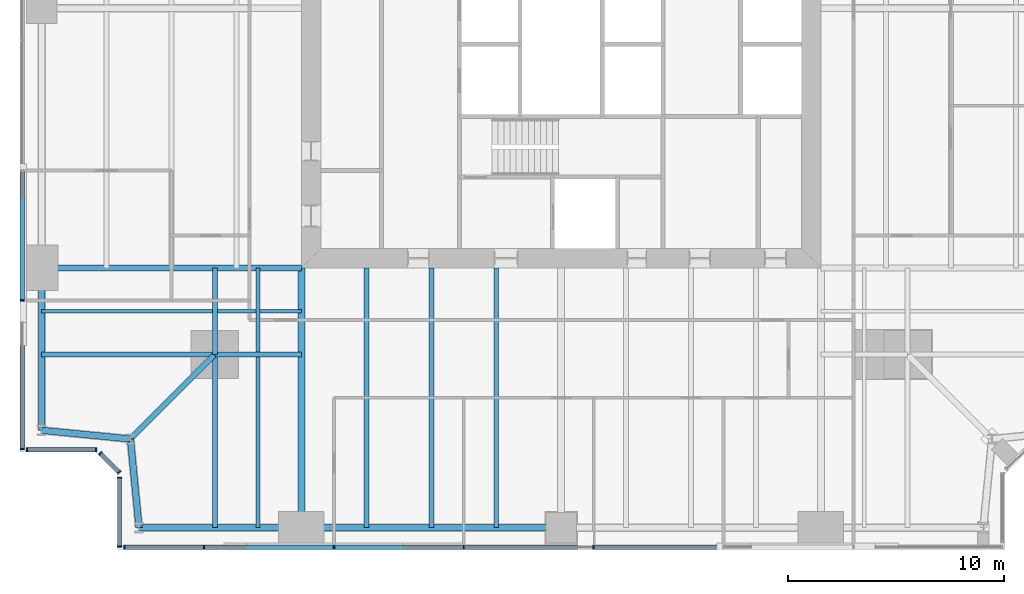
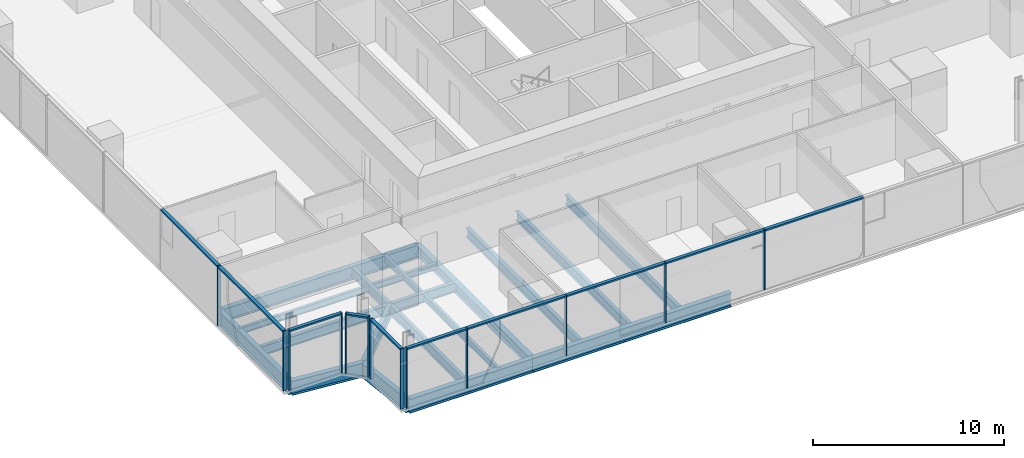
# One storey, part 2 of 13: 23 members, 20 beams, 5 elements without a shape of their own.
"""IFC4 building model written with IfcOpenShell, lengths in metres."""

from ifc_helpers import new_model, si_unit, direction, frame, origin, origin_2d, place, context, subcontext, project, spatial, rectangle, i_section, extrude, material, material_profile, profile_set, type_object, element, aggregate, save


model = new_model("IFC4")

# Units and contexts
model_context = context("Model", 3, precision=1e-05, world=origin(), true_north=direction((0.0, 1.0)))
body_context = subcontext(model_context, "Body", "Model", "MODEL_VIEW")
ifc_project = project(units=[si_unit("LENGTHUNIT", "METRE"), si_unit("AREAUNIT", "SQUARE_METRE"), si_unit("VOLUMEUNIT", "CUBIC_METRE"), si_unit("PLANEANGLEUNIT", "RADIAN"), si_unit("MASSUNIT", "GRAM", prefix="KILO")], contexts=[model_context])

# Site, building, storey
site_placement = place(None, origin())
site = spatial("IfcSite", under=ifc_project, at=site_placement, CompositionType="ELEMENT")
building_placement = place(site_placement, origin())
building = spatial("IfcBuilding", under=site, at=building_placement, Name="Fenwick Lantern Interchange", CompositionType="ELEMENT")
storey_placement = place(building_placement, frame((0.0, 0.0, 126.39990234375)))
storey = spatial("IfcBuildingStorey", under=building, at=storey_placement, Name="L29", CompositionType="ELEMENT", Elevation=126.39990234375)

# Beams
ifc_material_1 = material(Name="Steel ASTM A992 Grade 50", Category="steel")
ifc_material_profile_1 = material_profile(ifc_material_1, i_section(OverallWidth=0.3046875, OverallDepth=0.911865234375, WebThickness=0.015869140625, FlangeThickness=0.02392578125, at=origin_2d()), Name="W36X150")
ifc_profile_set_1 = profile_set([ifc_material_profile_1], Name="Steel ASTM A992 Grade 50")
beam_type_1 = type_object("IfcBeamType", Name="EDGE BEAM W36X150", PredefinedType="SPANDREL", material=ifc_profile_set_1)
beam_1_placement = place(storey_placement, frame((5.5, 1.0, -0.605712890625), z_axis=(1.0, 0.0, 0.0), x_axis=(0.0, 1.0, 0.0)))
element("IfcBeam", 1, at=beam_1_placement, inside=storey, type_object=beam_type_1, Name="L29/FR/S/EB1", PredefinedType="SPANDREL", context=body_context, shape_type="SweptSolid", body=[
    extrude(i_section(OverallWidth=0.3046875, OverallDepth=0.911865234375, WebThickness=0.015869140625, FlangeThickness=0.02392578125, at=origin_2d()), origin(), (0.0, 0.0, 1.0), 7.5),
])
beam_2_placement = place(storey_placement, frame((13.0, 1.0, -0.605712890625), z_axis=(1.0, 0.0, 0.0), x_axis=(0.0, 1.0, 0.0)))
element("IfcBeam", 2, at=beam_2_placement, inside=storey, type_object=beam_type_1, Name="L29/FR/S/EB2", PredefinedType="SPANDREL", context=body_context, shape_type="SweptSolid", body=[
    extrude(i_section(OverallWidth=0.3046875, OverallDepth=0.911865234375, WebThickness=0.015869140625, FlangeThickness=0.02392578125, at=origin_2d()), origin(), (0.0, 0.0, 1.0), 12.0),
])
beam_3_placement = place(storey_placement, frame((1.0, 13.0, -0.605712890625), z_axis=(0.0, -1.0, 0.0), x_axis=(1.0, 0.0, 0.0)))
element("IfcBeam", 3, at=beam_3_placement, inside=storey, type_object=beam_type_1, Name="L29/FR/W/EB4", PredefinedType="SPANDREL", context=body_context, shape_type="SweptSolid", body=[
    extrude(i_section(OverallWidth=0.3046875, OverallDepth=0.911865234375, WebThickness=0.015869140625, FlangeThickness=0.02392578125, at=origin_2d()), origin(), (0.0, 0.0, 1.0), 7.5),
])
for number, where, z_axis, x_axis, name in (
    (4, (1.0, 5.5, -0.605712890625), (0.995277148028, -0.097074191287, 0.0), (0.097074191287, 0.995277148028, 0.0), "L29/FR/W/EBR1"),
    (5, (5.10009765625, 5.10009765625, -0.605712890625), (0.097074191287, -0.995277148028, 0.0), (0.995277148028, 0.097074191287, 0.0), "L29/FR/W/EBR2"),
):
    element("IfcBeam", number, at=place(storey_placement, frame(where, z_axis=z_axis, x_axis=x_axis)), inside=storey, type_object=beam_type_1, Name=name, PredefinedType="SPANDREL", context=body_context, shape_type="SweptSolid", body=[
        extrude(i_section(OverallWidth=0.3046875, OverallDepth=0.911865234375, WebThickness=0.015869140625, FlangeThickness=0.02392578125, at=origin_2d()), origin(), (0.0, 0.0, 1.0), 4.11962890625),
    ])
ifc_material_profile_2 = material_profile(ifc_material_1, i_section(OverallWidth=0.22900390625, OverallDepth=0.612060546875, WebThickness=0.011962890625, FlangeThickness=0.01953125, at=origin_2d()), Name="W24X84")
ifc_profile_set_2 = profile_set([ifc_material_profile_2], Name="Steel ASTM A992 Grade 50")
beam_type_2 = type_object("IfcBeamType", Name="FLOOR BEAM W24X84", PredefinedType="BEAM", material=ifc_profile_set_2)
for number, where, z_axis, x_axis, name in (
    (6, (16.0, 1.0, -0.4560546875), (0.0, 1.0, 0.0), (-1.0, 0.0, 0.0), "L29/FR/S/R02"),
    (7, (19.0, 1.0, -0.4560546875), (0.0, 1.0, 0.0), (-1.0, 0.0, 0.0), "L29/FR/S/R03"),
    (8, (22.0, 1.0, -0.4560546875), (0.0, 1.0, 0.0), (-1.0, 0.0, 0.0), "L29/FR/S/R04"),
):
    element("IfcBeam", number, at=place(storey_placement, frame(where, z_axis=z_axis, x_axis=x_axis)), inside=storey, type_object=beam_type_2, Name=name, PredefinedType="BEAM", context=body_context, shape_type="SweptSolid", body=[
        extrude(i_section(OverallWidth=0.22900390625, OverallDepth=0.612060546875, WebThickness=0.011962890625, FlangeThickness=0.01953125, at=origin_2d()), origin(), (0.0, 0.0, 1.0), 12.0),
    ])
ifc_material_profile_3 = material_profile(ifc_material_1, i_section(OverallWidth=0.177734375, OverallDepth=0.406494140625, WebThickness=0.0078125, FlangeThickness=0.012939453125, at=origin_2d()), Name="W16X40")
ifc_profile_set_3 = profile_set([ifc_material_profile_3], Name="Steel ASTM A992 Grade 50")
beam_type_3 = type_object("IfcBeamType", Name="INFILL BEAM W16X40", PredefinedType="JOIST", material=ifc_profile_set_3)
beam_4_placement = place(storey_placement, frame((11.0, 1.0, -0.35302734375), z_axis=(0.0, 1.0, 0.0), x_axis=(-1.0, 0.0, 0.0)))
element("IfcBeam", 9, at=beam_4_placement, inside=storey, type_object=beam_type_3, Name="L29/FR/S/J1", PredefinedType="JOIST", context=body_context, shape_type="SweptSolid", body=[
    extrude(i_section(OverallWidth=0.177734375, OverallDepth=0.406494140625, WebThickness=0.0078125, FlangeThickness=0.012939453125, at=origin_2d()), origin(), (0.0, 0.0, 1.0), 7.885498046875),
])
beam_5_placement = place(storey_placement, frame((11.0, 9.114501953125, -0.35302734375), z_axis=(0.0, 1.0, 0.0), x_axis=(-1.0, 0.0, 0.0)))
element("IfcBeam", 10, at=beam_5_placement, inside=storey, type_object=beam_type_3, Name="L29/FR/S/J2", PredefinedType="JOIST", context=body_context, shape_type="SweptSolid", body=[
    extrude(i_section(OverallWidth=0.177734375, OverallDepth=0.406494140625, WebThickness=0.0078125, FlangeThickness=0.012939453125, at=origin_2d()), origin(), (0.0, 0.0, 1.0), 3.885498046875),
])
beam_6_placement = place(storey_placement, frame((1.0, 11.0, -0.35302734375), z_axis=(1.0, 0.0, 0.0), x_axis=(0.0, 1.0, 0.0)))
element("IfcBeam", 11, at=beam_6_placement, inside=storey, type_object=beam_type_3, Name="L29/FR/S/J3", PredefinedType="JOIST", context=body_context, shape_type="SweptSolid", body=[
    extrude(i_section(OverallWidth=0.177734375, OverallDepth=0.406494140625, WebThickness=0.0078125, FlangeThickness=0.012939453125, at=origin_2d()), origin(), (0.0, 0.0, 1.0), 7.885498046875),
])
beam_7_placement = place(storey_placement, frame((9.114501953125, 11.0, -0.35302734375), z_axis=(1.0, 0.0, 0.0), x_axis=(0.0, 1.0, 0.0)))
element("IfcBeam", 12, at=beam_7_placement, inside=storey, type_object=beam_type_3, Name="L29/FR/S/J4", PredefinedType="JOIST", context=body_context, shape_type="SweptSolid", body=[
    extrude(i_section(OverallWidth=0.177734375, OverallDepth=0.406494140625, WebThickness=0.0078125, FlangeThickness=0.012939453125, at=origin_2d()), origin(), (0.0, 0.0, 1.0), 1.796630859375),
])
beam_8_placement = place(storey_placement, frame((11.0888671875, 11.0, -0.35302734375), z_axis=(1.0, 0.0, 0.0), x_axis=(0.0, 1.0, 0.0)))
element("IfcBeam", 13, at=beam_8_placement, inside=storey, type_object=beam_type_3, Name="L29/FR/S/J5", PredefinedType="JOIST", context=body_context, shape_type="SweptSolid", body=[
    extrude(i_section(OverallWidth=0.177734375, OverallDepth=0.406494140625, WebThickness=0.0078125, FlangeThickness=0.012939453125, at=origin_2d()), origin(), (0.0, 0.0, 1.0), 1.9111328125),
])
ifc_material_profile_4 = material_profile(ifc_material_1, i_section(OverallWidth=0.22900390625, OverallDepth=0.612060546875, WebThickness=0.011962890625, FlangeThickness=0.01953125, at=origin_2d()), Name="W24X84")
ifc_profile_set_4 = profile_set([ifc_material_profile_4], Name="Steel ASTM A992 Grade 50")
beam_type_4 = type_object("IfcBeamType", Name="MEGA COLUMN BEAM W24X84", PredefinedType="BEAM", material=ifc_profile_set_4)
for number, where, z_axis, x_axis, name in (
    (14, (9.0, 9.0, -0.4560546875), (0.0, -1.0, 0.0), (1.0, 0.0, 0.0), "L29/FR/S/MB1"),
    (15, (9.0, 9.0, -0.4560546875), (-1.0, 0.0, 0.0), (0.0, -1.0, 0.0), "L29/FR/S/MB2"),
):
    element("IfcBeam", number, at=place(storey_placement, frame(where, z_axis=z_axis, x_axis=x_axis)), inside=storey, type_object=beam_type_4, Name=name, PredefinedType="BEAM", context=body_context, shape_type="SweptSolid", body=[
        extrude(i_section(OverallWidth=0.22900390625, OverallDepth=0.612060546875, WebThickness=0.011962890625, FlangeThickness=0.01953125, at=origin_2d()), origin(), (0.0, 0.0, 1.0), 8.0),
    ])
for number, where, z_axis, x_axis, name in (
    (16, (9.0, 9.0, -0.4560546875), (1.0, 0.0, 0.0), (0.0, 1.0, 0.0), "L29/FR/S/MB3"),
    (17, (9.0, 9.0, -0.4560546875), (0.0, 1.0, 0.0), (-1.0, 0.0, 0.0), "L29/FR/S/MB4"),
):
    element("IfcBeam", number, at=place(storey_placement, frame(where, z_axis=z_axis, x_axis=x_axis)), inside=storey, type_object=beam_type_4, Name=name, PredefinedType="BEAM", context=body_context, shape_type="SweptSolid", body=[
        extrude(i_section(OverallWidth=0.22900390625, OverallDepth=0.612060546875, WebThickness=0.011962890625, FlangeThickness=0.01953125, at=origin_2d()), origin(), (0.0, 0.0, 1.0), 4.0),
    ])
ifc_material_profile_5 = material_profile(ifc_material_1, i_section(OverallWidth=0.32763671875, OverallDepth=0.622314453125, WebThickness=0.015380859375, FlangeThickness=0.0244140625, at=origin_2d()), Name="W24X131")
ifc_profile_set_5 = profile_set([ifc_material_profile_5], Name="Steel ASTM A992 Grade 50")
beam_type_5 = type_object("IfcBeamType", Name="MOMENT-CONNECTED GIRDER W24X131", PredefinedType="BEAM", material=ifc_profile_set_5)
beam_9_placement = place(storey_placement, frame((13.0, 1.0, -0.4609375), z_axis=(0.0, 1.0, 0.0), x_axis=(-1.0, 0.0, 0.0)))
element("IfcBeam", 18, at=beam_9_placement, inside=storey, type_object=beam_type_5, Name="L29/FR/S/R01", PredefinedType="BEAM", context=body_context, shape_type="SweptSolid", body=[
    extrude(i_section(OverallWidth=0.32763671875, OverallDepth=0.622314453125, WebThickness=0.015380859375, FlangeThickness=0.0244140625, at=origin_2d()), origin(), (0.0, 0.0, 1.0), 12.0),
])
ifc_material_profile_6 = material_profile(ifc_material_1, i_section(OverallWidth=0.2919921875, OverallDepth=0.845703125, WebThickness=0.015380859375, FlangeThickness=0.0244140625, at=origin_2d()), Name="W33X141")
ifc_profile_set_6 = profile_set([ifc_material_profile_6], Name="Steel ASTM A992 Grade 50")
beam_type_6 = type_object("IfcBeamType", Name="MOMENT-CONNECTED GIRDER W33X141", PredefinedType="BEAM", material=ifc_profile_set_6)
beam_10_placement = place(storey_placement, frame((1.0, 13.0, -0.57275390625), z_axis=(1.0, 0.0, 0.0), x_axis=(0.0, 1.0, 0.0)))
element("IfcBeam", 19, at=beam_10_placement, inside=storey, type_object=beam_type_6, Name="L29/FR/W/R03", PredefinedType="BEAM", context=body_context, shape_type="SweptSolid", body=[
    extrude(i_section(OverallWidth=0.2919921875, OverallDepth=0.845703125, WebThickness=0.015380859375, FlangeThickness=0.0244140625, at=origin_2d()), origin(), (0.0, 0.0, 1.0), 12.0),
])
ifc_material_profile_7 = material_profile(ifc_material_1, i_section(OverallWidth=0.2666015625, OverallDepth=0.7568359375, WebThickness=0.013916015625, FlangeThickness=0.019287109375, at=origin_2d()), Name="W30X108")
ifc_profile_set_7 = profile_set([ifc_material_profile_7], Name="Steel ASTM A992 Grade 50")
beam_type_7 = type_object("IfcBeamType", Name="NOTCH BEAM W30X108", PredefinedType="BEAM", material=ifc_profile_set_7)
beam_11_placement = place(storey_placement, frame((9.0, 9.0, -0.5283203125), z_axis=(-0.707106781187, -0.707106781187, 0.0), x_axis=(0.707106781187, -0.707106781187, 0.0)))
element("IfcBeam", 20, at=beam_11_placement, inside=storey, type_object=beam_type_7, Name="L29/FR/S/TG", PredefinedType="BEAM", context=body_context, shape_type="SweptSolid", body=[
    extrude(i_section(OverallWidth=0.2666015625, OverallDepth=0.7568359375, WebThickness=0.013916015625, FlangeThickness=0.019287109375, at=origin_2d()), origin(), (0.0, 0.0, 1.0), 5.515380859375),
])

# Curtain wall, members
ifc_material_2 = material(Name="Aluminium curtain wall frame", Category="aluminium")
curtain_wall_type = type_object("IfcCurtainWallType", Name="OFFICE CURTAIN WALL", PredefinedType="USERDEFINED", material=ifc_material_2)
curtain_wall_1_placement = place(storey_placement, origin())
curtain_wall_1 = element("IfcCurtainWall", 21, at=curtain_wall_1_placement, inside=storey, type_object=curtain_wall_type, Name="Office curtain wall 01", ObjectType="OFFICE CURTAIN WALL", PredefinedType="USERDEFINED")
ifc_material_3 = material(Name="Aluminium extrusion", Category="aluminium")
ifc_material_profile_8 = material_profile(ifc_material_3, rectangle(XDim=0.199951171875, YDim=0.06494140625, at=origin_2d()), Name="OFFICE CURTAIN WALL MULLION 65 X 200")
ifc_profile_set_8 = profile_set([ifc_material_profile_8], Name="Aluminium extrusion")
member_type_1 = type_object("IfcMemberType", Name="OFFICE CURTAIN WALL MULLION 65 X 200", PredefinedType="MULLION", material=ifc_profile_set_8)
member_1_placement = place(storey_placement, frame((4.83251953125, 0.10009765625, 0.0), z_axis=(0.0, 0.0, 1.0), x_axis=(0.0, 1.0, 0.0)))
member_1 = element("IfcMember", 22, at=member_1_placement, type_object=member_type_1, Name="L29/CW/01/M00", PredefinedType="MULLION", context=body_context, shape_type="SweptSolid", body=[
    extrude(rectangle(XDim=0.199951171875, YDim=0.06494140625, at=origin_2d()), origin(), (0.0, 0.0, 1.0), 3.85009765625),
])
member_2_placement = place(storey_placement, frame((8.5, 0.10009765625, 0.0), z_axis=(0.0, 0.0, 1.0), x_axis=(0.0, 1.0, 0.0)))
member_2 = element("IfcMember", 23, at=member_2_placement, type_object=member_type_1, Name="L29/CW/01/M01", PredefinedType="MULLION", context=body_context, shape_type="SweptSolid", body=[
    extrude(rectangle(XDim=0.199951171875, YDim=0.06494140625, at=origin_2d()), origin(), (0.0, 0.0, 1.0), 3.85009765625),
])
member_3_placement = place(storey_placement, frame((14.5, 0.10009765625, 0.0), z_axis=(0.0, 0.0, 1.0), x_axis=(0.0, 1.0, 0.0)))
member_3 = element("IfcMember", 24, at=member_3_placement, type_object=member_type_1, Name="L29/CW/01/M02", PredefinedType="MULLION", context=body_context, shape_type="SweptSolid", body=[
    extrude(rectangle(XDim=0.199951171875, YDim=0.06494140625, at=origin_2d()), origin(), (0.0, 0.0, 1.0), 3.85009765625),
])
member_4_placement = place(storey_placement, frame((20.5, 0.10009765625, 0.0), z_axis=(0.0, 0.0, 1.0), x_axis=(0.0, 1.0, 0.0)))
member_4 = element("IfcMember", 25, at=member_4_placement, type_object=member_type_1, Name="L29/CW/01/M03", PredefinedType="MULLION", context=body_context, shape_type="SweptSolid", body=[
    extrude(rectangle(XDim=0.199951171875, YDim=0.06494140625, at=origin_2d()), origin(), (0.0, 0.0, 1.0), 3.85009765625),
])
member_5_placement = place(storey_placement, frame((26.5, 0.10009765625, 0.0), z_axis=(0.0, 0.0, 1.0), x_axis=(0.0, 1.0, 0.0)))
member_5 = element("IfcMember", 26, at=member_5_placement, type_object=member_type_1, Name="L29/CW/01/M04", PredefinedType="MULLION", context=body_context, shape_type="SweptSolid", body=[
    extrude(rectangle(XDim=0.199951171875, YDim=0.06494140625, at=origin_2d()), origin(), (0.0, 0.0, 1.0), 3.85009765625),
])

curtain_wall_2_placement = place(storey_placement, origin())
curtain_wall_2 = element("IfcCurtainWall", 27, at=curtain_wall_2_placement, inside=storey, type_object=curtain_wall_type, Name="Office curtain wall 13", ObjectType="OFFICE CURTAIN WALL", PredefinedType="USERDEFINED")
member_6_placement = place(storey_placement, frame((0.10009765625, 11.5, 0.0), z_axis=(0.0, 0.0, 1.0), x_axis=(1.0, 0.0, 0.0)))
member_6 = element("IfcMember", 28, at=member_6_placement, type_object=member_type_1, Name="L29/CW/13/M06", PredefinedType="MULLION", context=body_context, shape_type="SweptSolid", body=[
    extrude(rectangle(XDim=0.199951171875, YDim=0.06494140625, at=origin_2d()), origin(), (0.0, 0.0, 1.0), 3.85009765625),
])
member_7_placement = place(storey_placement, frame((0.10009765625, 4.632568359375, 0.0), z_axis=(0.0, 0.0, 1.0), x_axis=(1.0, 0.0, 0.0)))
member_7 = element("IfcMember", 29, at=member_7_placement, type_object=member_type_1, Name="L29/CW/13/M07", PredefinedType="MULLION", context=body_context, shape_type="SweptSolid", body=[
    extrude(rectangle(XDim=0.199951171875, YDim=0.06494140625, at=origin_2d()), origin(), (0.0, 0.0, 1.0), 3.85009765625),
])

curtain_wall_3_placement = place(storey_placement, origin())
curtain_wall_3 = element("IfcCurtainWall", 30, at=curtain_wall_3_placement, inside=storey, type_object=curtain_wall_type, Name="Office curtain wall 14", ObjectType="OFFICE CURTAIN WALL", PredefinedType="USERDEFINED")
member_8_placement = place(storey_placement, frame((0.33251953125, 4.60009765625, 0.0), z_axis=(0.0, 0.0, 1.0), x_axis=(0.0, 1.0, 0.0)))
member_8 = element("IfcMember", 31, at=member_8_placement, type_object=member_type_1, Name="L29/CW/14/M00", PredefinedType="MULLION", context=body_context, shape_type="SweptSolid", body=[
    extrude(rectangle(XDim=0.199951171875, YDim=0.06494140625, at=origin_2d()), origin(), (0.0, 0.0, 1.0), 3.85009765625),
])
member_9_placement = place(storey_placement, frame((3.509033203125, 4.60009765625, 0.0), z_axis=(0.0, 0.0, 1.0), x_axis=(0.0, 1.0, 0.0)))
member_9 = element("IfcMember", 32, at=member_9_placement, type_object=member_type_1, Name="L29/CW/14/M01", PredefinedType="MULLION", context=body_context, shape_type="SweptSolid", body=[
    extrude(rectangle(XDim=0.199951171875, YDim=0.06494140625, at=origin_2d()), origin(), (0.0, 0.0, 1.0), 3.85009765625),
])

curtain_wall_4_placement = place(storey_placement, origin())
curtain_wall_4 = element("IfcCurtainWall", 33, at=curtain_wall_4_placement, inside=storey, type_object=curtain_wall_type, Name="Office curtain wall 15", ObjectType="OFFICE CURTAIN WALL", PredefinedType="USERDEFINED")
member_10_placement = place(storey_placement, frame((3.705810546875, 4.435546875, 0.0), z_axis=(0.0, 0.0, 1.0), x_axis=(0.707106781187, 0.707106781187, 0.0)))
member_10 = element("IfcMember", 34, at=member_10_placement, type_object=member_type_1, Name="L29/CW/15/M00", PredefinedType="MULLION", context=body_context, shape_type="SweptSolid", body=[
    extrude(rectangle(XDim=0.199951171875, YDim=0.06494140625, at=origin_2d()), origin(), (0.0, 0.0, 1.0), 3.85009765625),
])
member_11_placement = place(storey_placement, frame((4.576904296875, 3.564453125, 0.0), z_axis=(0.0, 0.0, 1.0), x_axis=(0.707106781187, 0.707106781187, 0.0)))
member_11 = element("IfcMember", 35, at=member_11_placement, type_object=member_type_1, Name="L29/CW/15/M01", PredefinedType="MULLION", context=body_context, shape_type="SweptSolid", body=[
    extrude(rectangle(XDim=0.199951171875, YDim=0.06494140625, at=origin_2d()), origin(), (0.0, 0.0, 1.0), 3.85009765625),
])

curtain_wall_5_placement = place(storey_placement, origin())
curtain_wall_5 = element("IfcCurtainWall", 36, at=curtain_wall_5_placement, inside=storey, type_object=curtain_wall_type, Name="Office curtain wall 16", ObjectType="OFFICE CURTAIN WALL", PredefinedType="USERDEFINED")
member_12_placement = place(storey_placement, frame((4.60009765625, 3.308837890625, 0.0), z_axis=(0.0, 0.0, 1.0), x_axis=(1.0, 0.0, 0.0)))
member_12 = element("IfcMember", 37, at=member_12_placement, type_object=member_type_1, Name="L29/CW/16/M00", PredefinedType="MULLION", context=body_context, shape_type="SweptSolid", body=[
    extrude(rectangle(XDim=0.199951171875, YDim=0.06494140625, at=origin_2d()), origin(), (0.0, 0.0, 1.0), 3.85009765625),
])
member_13_placement = place(storey_placement, frame((4.60009765625, 0.132568359375, 0.0), z_axis=(0.0, 0.0, 1.0), x_axis=(1.0, 0.0, 0.0)))
member_13 = element("IfcMember", 38, at=member_13_placement, type_object=member_type_1, Name="L29/CW/16/M01", PredefinedType="MULLION", context=body_context, shape_type="SweptSolid", body=[
    extrude(rectangle(XDim=0.199951171875, YDim=0.06494140625, at=origin_2d()), origin(), (0.0, 0.0, 1.0), 3.85009765625),
])

# Member
ifc_material_profile_9 = material_profile(ifc_material_3, rectangle(XDim=0.199951171875, YDim=0.10009765625, at=origin_2d()), Name="OFFICE CURTAIN WALL TRANSOM 100 X 200")
ifc_profile_set_9 = profile_set([ifc_material_profile_9], Name="Aluminium extrusion")
member_type_2 = type_object("IfcMemberType", Name="OFFICE CURTAIN WALL TRANSOM 100 X 200", PredefinedType="MULLION", material=ifc_profile_set_9)
member_14_placement = place(storey_placement, frame((4.864990234375, 0.10009765625, 3.800048828125), z_axis=(1.0, 0.0, 0.0), x_axis=(0.0, 1.0, 0.0)))
member_14 = element("IfcMember", 39, at=member_14_placement, type_object=member_type_2, Name="L29/CW/01/T00", PredefinedType="MULLION", context=body_context, shape_type="SweptSolid", body=[
    extrude(rectangle(XDim=0.199951171875, YDim=0.10009765625, at=origin_2d()), origin(), (0.0, 0.0, 1.0), 3.6025390625),
])

member_15_placement = place(storey_placement, frame((8.532470703125, 0.10009765625, 3.800048828125), z_axis=(1.0, 0.0, 0.0), x_axis=(0.0, 1.0, 0.0)))
member_15 = element("IfcMember", 40, at=member_15_placement, type_object=member_type_2, Name="L29/CW/01/T01", PredefinedType="MULLION", context=body_context, shape_type="SweptSolid", body=[
    extrude(rectangle(XDim=0.199951171875, YDim=0.10009765625, at=origin_2d()), origin(), (0.0, 0.0, 1.0), 5.93505859375),
])

member_16_placement = place(storey_placement, frame((14.532470703125, 0.10009765625, 3.800048828125), z_axis=(1.0, 0.0, 0.0), x_axis=(0.0, 1.0, 0.0)))
member_16 = element("IfcMember", 41, at=member_16_placement, type_object=member_type_2, Name="L29/CW/01/T02", PredefinedType="MULLION", context=body_context, shape_type="SweptSolid", body=[
    extrude(rectangle(XDim=0.199951171875, YDim=0.10009765625, at=origin_2d()), origin(), (0.0, 0.0, 1.0), 5.93505859375),
])

member_17_placement = place(storey_placement, frame((20.532470703125, 0.10009765625, 3.800048828125), z_axis=(1.0, 0.0, 0.0), x_axis=(0.0, 1.0, 0.0)))
member_17 = element("IfcMember", 42, at=member_17_placement, type_object=member_type_2, Name="L29/CW/01/T03", PredefinedType="MULLION", context=body_context, shape_type="SweptSolid", body=[
    extrude(rectangle(XDim=0.199951171875, YDim=0.10009765625, at=origin_2d()), origin(), (0.0, 0.0, 1.0), 5.93505859375),
])

member_18_placement = place(storey_placement, frame((26.532470703125, 0.10009765625, 3.800048828125), z_axis=(1.0, 0.0, 0.0), x_axis=(0.0, 1.0, 0.0)))
member_18 = element("IfcMember", 43, at=member_18_placement, type_object=member_type_2, Name="L29/CW/01/T04", PredefinedType="MULLION", context=body_context, shape_type="SweptSolid", body=[
    extrude(rectangle(XDim=0.199951171875, YDim=0.10009765625, at=origin_2d()), origin(), (0.0, 0.0, 1.0), 5.93505859375),
])

aggregate(curtain_wall_1, [member_1, member_2, member_3, member_4, member_5, member_14, member_15, member_16, member_17, member_18])

member_19_placement = place(storey_placement, frame((0.10009765625, 17.467529296875, 3.800048828125), z_axis=(0.0, -1.0, 0.0), x_axis=(1.0, 0.0, 0.0)))
member_19 = element("IfcMember", 44, at=member_19_placement, type_object=member_type_2, Name="L29/CW/13/T05", PredefinedType="MULLION", context=body_context, shape_type="SweptSolid", body=[
    extrude(rectangle(XDim=0.199951171875, YDim=0.10009765625, at=origin_2d()), origin(), (0.0, 0.0, 1.0), 5.93505859375),
])

member_20_placement = place(storey_placement, frame((0.10009765625, 11.467529296875, 3.800048828125), z_axis=(0.0, -1.0, 0.0), x_axis=(1.0, 0.0, 0.0)))
member_20 = element("IfcMember", 45, at=member_20_placement, type_object=member_type_2, Name="L29/CW/13/T06", PredefinedType="MULLION", context=body_context, shape_type="SweptSolid", body=[
    extrude(rectangle(XDim=0.199951171875, YDim=0.10009765625, at=origin_2d()), origin(), (0.0, 0.0, 1.0), 6.802490234375),
])

aggregate(curtain_wall_2, [member_6, member_7, member_19, member_20])

member_21_placement = place(storey_placement, frame((0.364990234375, 4.60009765625, 3.800048828125), z_axis=(1.0, 0.0, 0.0), x_axis=(0.0, 1.0, 0.0)))
member_21 = element("IfcMember", 46, at=member_21_placement, type_object=member_type_2, Name="L29/CW/14/T00", PredefinedType="MULLION", context=body_context, shape_type="SweptSolid", body=[
    extrude(rectangle(XDim=0.199951171875, YDim=0.10009765625, at=origin_2d()), origin(), (0.0, 0.0, 1.0), 3.111328125),
])

aggregate(curtain_wall_3, [member_8, member_9, member_21])

member_22_placement = place(storey_placement, frame((3.728759765625, 4.41259765625, 3.800048828125), z_axis=(0.707106781187, -0.707106781187, 0.0), x_axis=(0.707106781187, 0.707106781187, 0.0)))
member_22 = element("IfcMember", 47, at=member_22_placement, type_object=member_type_2, Name="L29/CW/15/T00", PredefinedType="MULLION", context=body_context, shape_type="SweptSolid", body=[
    extrude(rectangle(XDim=0.199951171875, YDim=0.10009765625, at=origin_2d()), origin(), (0.0, 0.0, 1.0), 1.1669921875),
])

aggregate(curtain_wall_4, [member_10, member_11, member_22])

member_23_placement = place(storey_placement, frame((4.60009765625, 3.2763671875, 3.800048828125), z_axis=(0.0, -1.0, 0.0), x_axis=(1.0, 0.0, 0.0)))
member_23 = element("IfcMember", 48, at=member_23_placement, type_object=member_type_2, Name="L29/CW/16/T00", PredefinedType="MULLION", context=body_context, shape_type="SweptSolid", body=[
    extrude(rectangle(XDim=0.199951171875, YDim=0.10009765625, at=origin_2d()), origin(), (0.0, 0.0, 1.0), 3.111328125),
])

aggregate(curtain_wall_5, [member_12, member_13, member_23])

save(model, "model.ifc")
